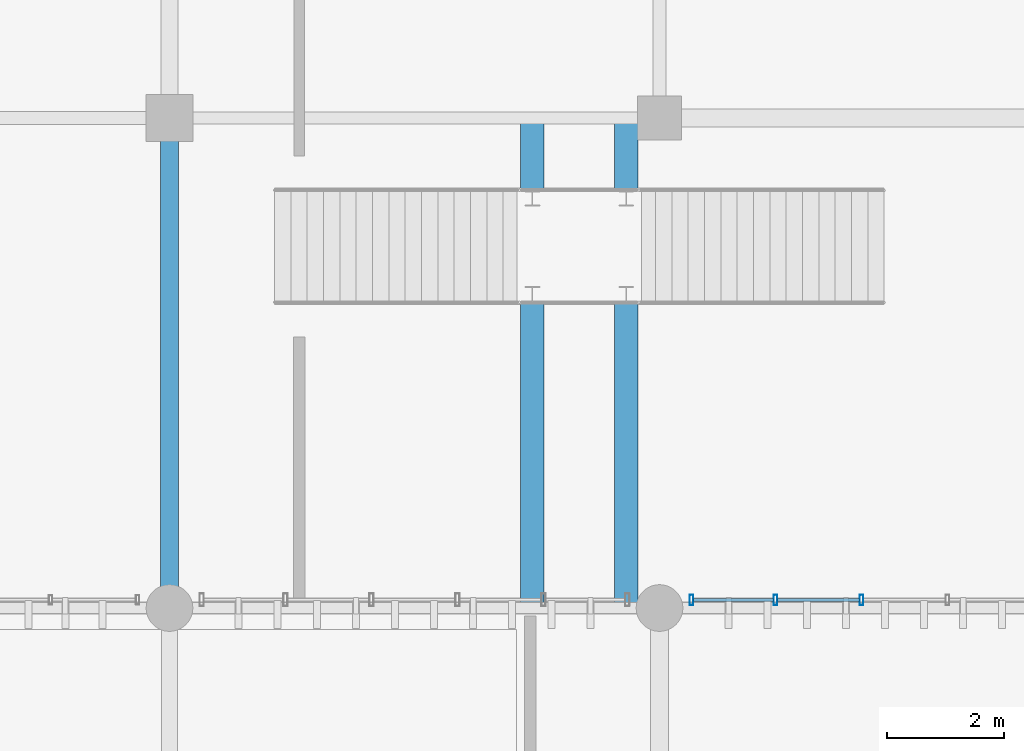
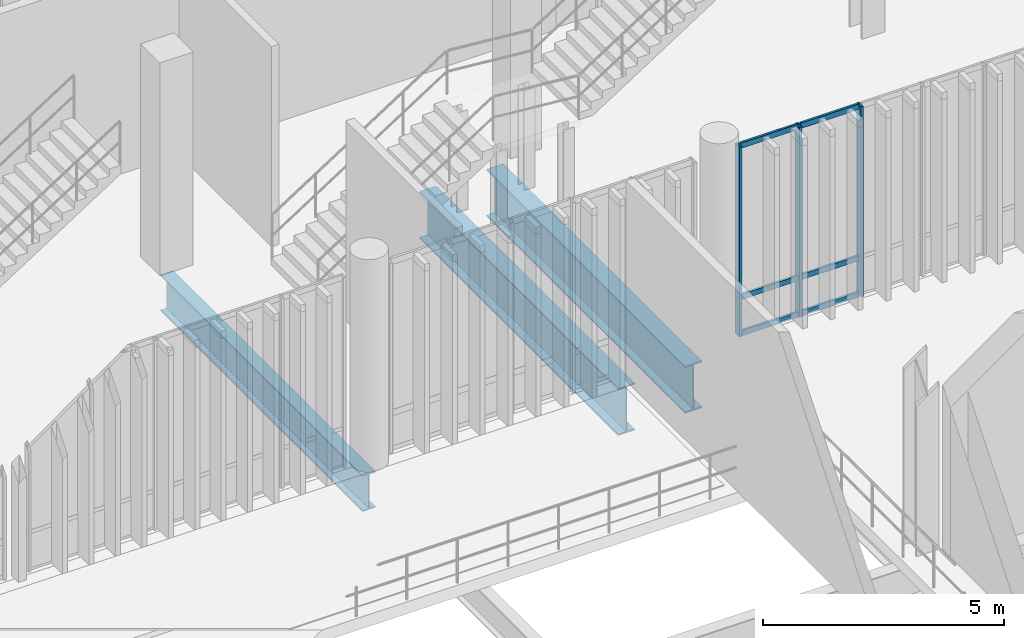
# One storey, part 18 of 128: 9 members, 3 beams, 1 element without a shape of its own.
"""IFC4 building model written with IfcOpenShell, lengths in metres."""

from ifc_helpers import new_model, si_unit, direction, frame, origin_with_axes, origin_2d_with_axis, place, context, subcontext, project, spatial, hollow_rectangle, i_section, extrude, material, material_profile, profile_set, type_object, element, aggregate, save


model = new_model("IFC4")

# Units and contexts
model_context = context("Model", 3, precision=1e-05, world=origin_with_axes(), true_north=direction((0.0, 1.0)))
body_context = subcontext(model_context, "Body", "Model", "MODEL_VIEW")
ifc_project = project(units=[si_unit("LENGTHUNIT", "METRE"), si_unit("AREAUNIT", "SQUARE_METRE"), si_unit("VOLUMEUNIT", "CUBIC_METRE"), si_unit("PLANEANGLEUNIT", "RADIAN"), si_unit("MASSUNIT", "GRAM", prefix="KILO"), si_unit("THERMODYNAMICTEMPERATUREUNIT", "KELVIN")], contexts=[model_context])

# Site, building, storey
site_placement = place(None, origin_with_axes())
site = spatial("IfcSite", under=ifc_project, at=site_placement, CompositionType="ELEMENT")
building_placement = place(site_placement, origin_with_axes())
building = spatial("IfcBuilding", under=site, at=building_placement, Name="Montbau Bow Law Courts", CompositionType="ELEMENT")
storey_placement = place(building_placement, frame((0.0, 0.0, 5.4), z_axis=(0.0, 0.0, 1.0), x_axis=(1.0, 0.0, 0.0)))
storey = spatial("IfcBuildingStorey", under=building, at=storey_placement, Name="L01", CompositionType="ELEMENT", Elevation=5.4)

# Beams
ifc_material_1 = material(Name="Steel CSA G40.21 Grade 350W (350 MPa)", Category="steel")
ifc_material_profile_1 = material_profile(ifc_material_1, i_section(OverallWidth=0.306, OverallDepth=0.919, WebThickness=0.0173, FlangeThickness=0.0279, at=origin_2d_with_axis()), Name="W920X253", Category="Main", Priority=0)
ifc_profile_set_1 = profile_set([ifc_material_profile_1], Name="Steel CSA G40.21 Grade 350W (350 MPa)")
beam_type_1 = type_object("IfcBeamType", Name="B-FLR-01", PredefinedType="BEAM", material=ifc_profile_set_1)
beam_placement = place(None, frame((22.2, 30.6, 4.64), z_axis=(0.0, 1.0, 0.0), x_axis=(-1.0, 0.0, 0.0)))
element("IfcBeam", 1, at=beam_placement, inside=storey, type_object=beam_type_1, Name="BM-L01-S0539:bm2_0542", PredefinedType="BEAM", context=body_context, shape_type="SweptSolid", body=[
    extrude(i_section(OverallWidth=0.306, OverallDepth=0.919, WebThickness=0.0173, FlangeThickness=0.0279, at=origin_2d_with_axis()), origin_with_axes(), (0.0, 0.0, 1.0), 8.4),
])
ifc_material_profile_2 = material_profile(ifc_material_1, i_section(OverallWidth=0.4, OverallDepth=1.2, WebThickness=0.016, FlangeThickness=0.035, at=origin_2d_with_axis()), Name="WWF1200X302", Category="Main", Priority=0)
ifc_profile_set_2 = profile_set([ifc_material_profile_2], Name="Steel CSA G40.21 Grade 350W (350 MPa)")
beam_type_2 = type_object("IfcBeamType", Name="B-TRG-05", PredefinedType="USERDEFINED", material=ifc_profile_set_2)
for number, where, z_axis, x_axis, name in (
    (2, (28.42, 30.675, 4.5), (0.0, 1.0, 0.0), (-1.0, 0.0, 0.0), "TRG-L01-S1806:bm2_1809"),
    (3, (30.03, 30.675, 4.5), (0.0, 1.0, 0.0), (-1.0, 0.0, 0.0), "TRG-L01-S1807:bm2_1810"),
):
    element("IfcBeam", number, at=place(None, frame(where, z_axis=z_axis, x_axis=x_axis)), inside=storey, type_object=beam_type_2, Name=name, ObjectType="GIRDER", PredefinedType="USERDEFINED", context=body_context, shape_type="SweptSolid", body=[
        extrude(i_section(OverallWidth=0.4, OverallDepth=1.2, WebThickness=0.016, FlangeThickness=0.035, at=origin_2d_with_axis()), origin_with_axes(), (0.0, 0.0, 1.0), 8.25),
    ])

# Curtain wall, members
ifc_material_2 = material(Name="Thermally Broken Extruded Aluminium AA 6063-T6", Category="aluminium")
curtain_wall_type = type_object("IfcCurtainWallType", Name="CW-TRC-01", PredefinedType="NOTDEFINED", material=ifc_material_2)
curtain_wall_placement = place(None, frame((31.115, 30.74, 5.4), z_axis=(0.0, 0.0, 1.0), x_axis=(1.0, 0.0, 0.0)))
curtain_wall = element("IfcCurtainWall", 4, at=curtain_wall_placement, inside=storey, type_object=curtain_wall_type, Name="CW-L01-019:cw_0019", PredefinedType="NOTDEFINED")
ifc_material_profile_3 = material_profile(ifc_material_2, hollow_rectangle(XDim=0.065, YDim=0.18, WallThickness=0.005, InnerFilletRadius=0.01, OuterFilletRadius=0.005, at=origin_2d_with_axis()), Name="CWM-180X65", Category="Main", Priority=0)
ifc_profile_set_3 = profile_set([ifc_material_profile_3], Name="Thermally Broken Extruded Aluminium AA 6063-T6")
member_type_1 = type_object("IfcMemberType", Name="M-MUL-02", PredefinedType="MULLION", material=ifc_profile_set_3)
member_1_placement = place(None, frame((31.148, 30.74, 5.4), z_axis=(0.0, 0.0, 1.0), x_axis=(1.0, 0.0, 0.0)))
member_1 = element("IfcMember", 5, at=member_1_placement, type_object=member_type_1, Name="CW-L01-019-M01:cw_0019_M01", PredefinedType="MULLION", context=body_context, shape_type="SweptSolid", body=[
    extrude(hollow_rectangle(XDim=0.065, YDim=0.18, WallThickness=0.005, InnerFilletRadius=0.01, OuterFilletRadius=0.005, at=origin_2d_with_axis()), origin_with_axes(), (0.0, 0.0, 1.0), 4.82),
])
member_2_placement = place(None, frame((32.589, 30.74, 5.4), z_axis=(0.0, 0.0, 1.0), x_axis=(1.0, 0.0, 0.0)))
member_2 = element("IfcMember", 6, at=member_2_placement, type_object=member_type_1, Name="CW-L01-019-M02:cw_0019_M02", PredefinedType="MULLION", context=body_context, shape_type="SweptSolid", body=[
    extrude(hollow_rectangle(XDim=0.065, YDim=0.18, WallThickness=0.005, InnerFilletRadius=0.01, OuterFilletRadius=0.005, at=origin_2d_with_axis()), origin_with_axes(), (0.0, 0.0, 1.0), 4.82),
])
member_3_placement = place(None, frame((34.063, 30.74, 5.4), z_axis=(0.0, 0.0, 1.0), x_axis=(1.0, 0.0, 0.0)))
member_3 = element("IfcMember", 7, at=member_3_placement, type_object=member_type_1, Name="CW-L01-019-M03:cw_0019_M03", PredefinedType="MULLION", context=body_context, shape_type="SweptSolid", body=[
    extrude(hollow_rectangle(XDim=0.065, YDim=0.18, WallThickness=0.005, InnerFilletRadius=0.01, OuterFilletRadius=0.005, at=origin_2d_with_axis()), origin_with_axes(), (0.0, 0.0, 1.0), 4.82),
])
ifc_material_profile_4 = material_profile(ifc_material_2, hollow_rectangle(XDim=0.055, YDim=0.14, WallThickness=0.004, InnerFilletRadius=0.008, OuterFilletRadius=0.004, at=origin_2d_with_axis()), Name="CWT-140X55", Category="Main", Priority=0)
ifc_profile_set_4 = profile_set([ifc_material_profile_4], Name="Thermally Broken Extruded Aluminium AA 6063-T6")
member_type_2 = type_object("IfcMemberType", Name="M-TRN-02", PredefinedType="USERDEFINED", material=ifc_profile_set_4)
member_4_placement = place(None, frame((31.183, 30.74, 5.428), z_axis=(1.0, 0.0, 0.0), x_axis=(0.0, 1.0, 0.0)))
member_4 = element("IfcMember", 8, at=member_4_placement, type_object=member_type_2, Name="CW-L01-019-T01-1:cw_0019_T01_1", ObjectType="TRANSOM", PredefinedType="USERDEFINED", context=body_context, shape_type="SweptSolid", body=[
    extrude(hollow_rectangle(XDim=0.055, YDim=0.14, WallThickness=0.004, InnerFilletRadius=0.008, OuterFilletRadius=0.004, at=origin_2d_with_axis()), origin_with_axes(), (0.0, 0.0, 1.0), 1.372),
])
member_5_placement = place(None, frame((31.183, 30.74, 6.35), z_axis=(1.0, 0.0, 0.0), x_axis=(0.0, 1.0, 0.0)))
member_5 = element("IfcMember", 9, at=member_5_placement, type_object=member_type_2, Name="CW-L01-019-T01-2:cw_0019_T01_2", ObjectType="TRANSOM", PredefinedType="USERDEFINED", context=body_context, shape_type="SweptSolid", body=[
    extrude(hollow_rectangle(XDim=0.055, YDim=0.14, WallThickness=0.004, InnerFilletRadius=0.008, OuterFilletRadius=0.004, at=origin_2d_with_axis()), origin_with_axes(), (0.0, 0.0, 1.0), 1.372),
])
member_6_placement = place(None, frame((31.183, 30.74, 10.193), z_axis=(1.0, 0.0, 0.0), x_axis=(0.0, 1.0, 0.0)))
member_6 = element("IfcMember", 10, at=member_6_placement, type_object=member_type_2, Name="CW-L01-019-T01-3:cw_0019_T01_3", ObjectType="TRANSOM", PredefinedType="USERDEFINED", context=body_context, shape_type="SweptSolid", body=[
    extrude(hollow_rectangle(XDim=0.055, YDim=0.14, WallThickness=0.004, InnerFilletRadius=0.008, OuterFilletRadius=0.004, at=origin_2d_with_axis()), origin_with_axes(), (0.0, 0.0, 1.0), 1.372),
])
member_7_placement = place(None, frame((32.623, 30.74, 5.428), z_axis=(1.0, 0.0, 0.0), x_axis=(0.0, 1.0, 0.0)))
member_7 = element("IfcMember", 11, at=member_7_placement, type_object=member_type_2, Name="CW-L01-019-T02-1:cw_0019_T02_1", ObjectType="TRANSOM", PredefinedType="USERDEFINED", context=body_context, shape_type="SweptSolid", body=[
    extrude(hollow_rectangle(XDim=0.055, YDim=0.14, WallThickness=0.004, InnerFilletRadius=0.008, OuterFilletRadius=0.004, at=origin_2d_with_axis()), origin_with_axes(), (0.0, 0.0, 1.0), 1.405),
])
member_8_placement = place(None, frame((32.623, 30.74, 6.35), z_axis=(1.0, 0.0, 0.0), x_axis=(0.0, 1.0, 0.0)))
member_8 = element("IfcMember", 12, at=member_8_placement, type_object=member_type_2, Name="CW-L01-019-T02-2:cw_0019_T02_2", ObjectType="TRANSOM", PredefinedType="USERDEFINED", context=body_context, shape_type="SweptSolid", body=[
    extrude(hollow_rectangle(XDim=0.055, YDim=0.14, WallThickness=0.004, InnerFilletRadius=0.008, OuterFilletRadius=0.004, at=origin_2d_with_axis()), origin_with_axes(), (0.0, 0.0, 1.0), 1.405),
])
member_9_placement = place(None, frame((32.623, 30.74, 10.193), z_axis=(1.0, 0.0, 0.0), x_axis=(0.0, 1.0, 0.0)))
member_9 = element("IfcMember", 13, at=member_9_placement, type_object=member_type_2, Name="CW-L01-019-T02-3:cw_0019_T02_3", ObjectType="TRANSOM", PredefinedType="USERDEFINED", context=body_context, shape_type="SweptSolid", body=[
    extrude(hollow_rectangle(XDim=0.055, YDim=0.14, WallThickness=0.004, InnerFilletRadius=0.008, OuterFilletRadius=0.004, at=origin_2d_with_axis()), origin_with_axes(), (0.0, 0.0, 1.0), 1.405),
])
aggregate(curtain_wall, [member_1, member_2, member_3, member_4, member_5, member_6, member_7, member_8, member_9])

save(model, "model.ifc")
